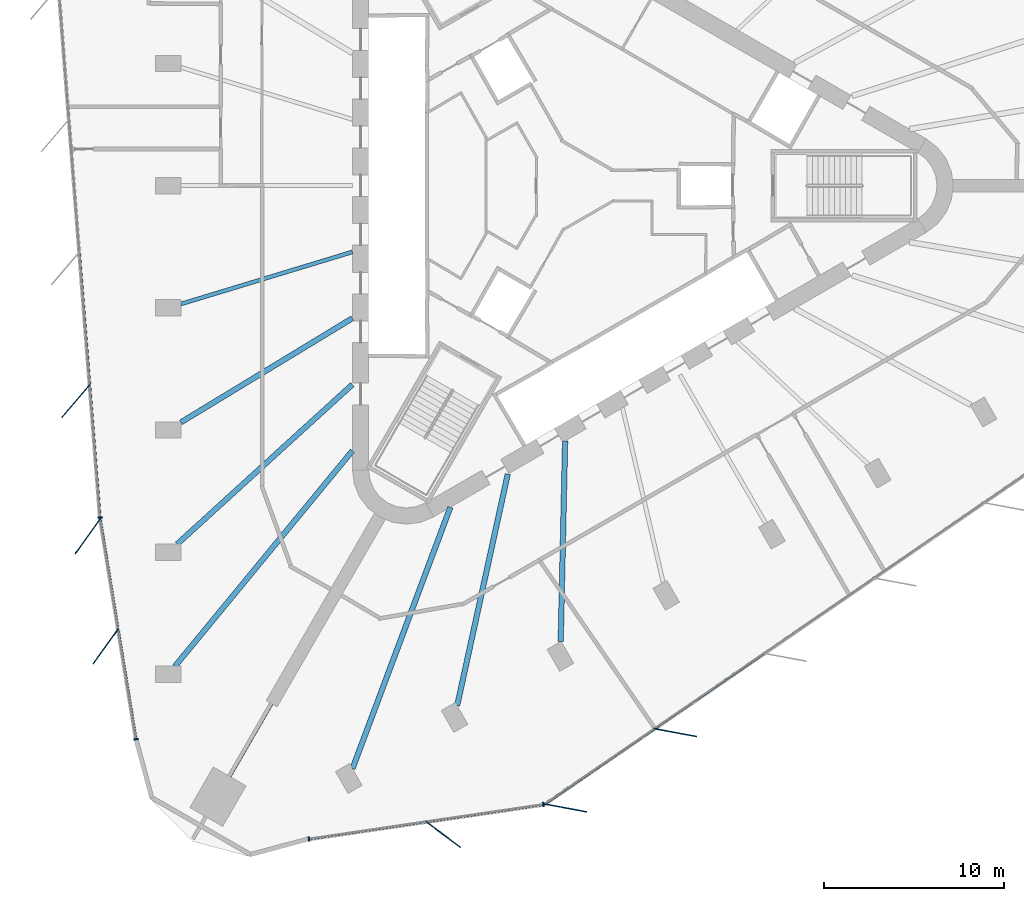
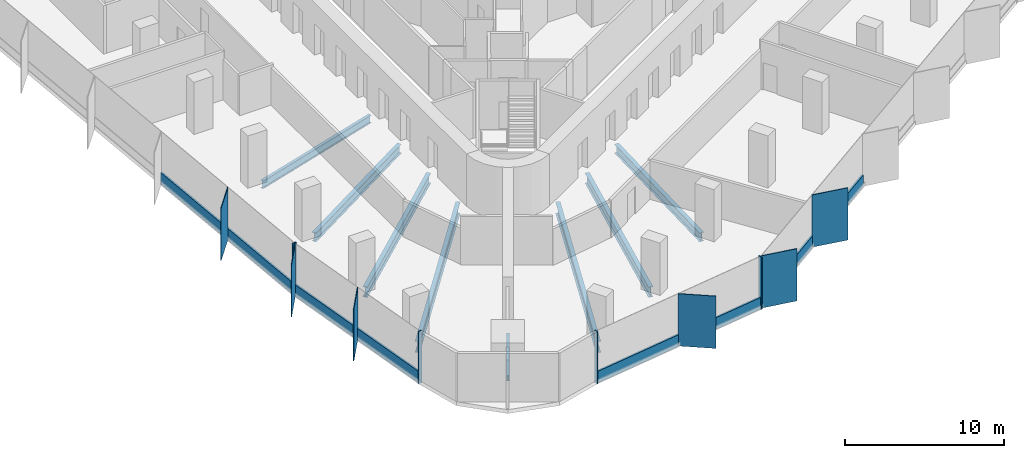
# One storey, part 2 of 13: 18 members, 8 beams, 4 elements without a shape of their own.
"""IFC4 building model written with IfcOpenShell, lengths in metres."""

from ifc_helpers import new_model, si_unit, direction, frame, origin, origin_2d, place, context, subcontext, project, spatial, rectangle, i_section, extrude, material, material_profile, profile_set, type_object, element, aggregate, save


model = new_model("IFC4")

# Units and contexts
model_context = context("Model", 3, precision=1e-05, world=origin(), true_north=direction((0.0, 1.0)))
body_context = subcontext(model_context, "Body", "Model", "MODEL_VIEW")
ifc_project = project(units=[si_unit("LENGTHUNIT", "METRE"), si_unit("AREAUNIT", "SQUARE_METRE"), si_unit("VOLUMEUNIT", "CUBIC_METRE"), si_unit("PLANEANGLEUNIT", "RADIAN"), si_unit("MASSUNIT", "GRAM", prefix="KILO")], contexts=[model_context])

# Site, building, storey
site_placement = place(None, origin())
site = spatial("IfcSite", under=ifc_project, at=site_placement, CompositionType="ELEMENT")
building_placement = place(site_placement, origin())
building = spatial("IfcBuilding", under=site, at=building_placement, Name="Tanit Gate Tower", CompositionType="ELEMENT")
storey_placement = place(building_placement, frame((0.0, 0.0, 201.199951171875)))
storey = spatial("IfcBuildingStorey", under=building, at=storey_placement, Name="L44", CompositionType="ELEMENT", Elevation=201.199951171875)

# Curtain wall, member
ifc_material_1 = material(Name="Aluminium bronze anodised and glass", Category="aluminium")
curtain_wall_type = type_object("IfcCurtainWallType", Name="Curtain wall typical mid", PredefinedType="NOTDEFINED", material=ifc_material_1)
curtain_wall_1_placement = place(storey_placement, origin())
curtain_wall_1 = element("IfcCurtainWall", 1, at=curtain_wall_1_placement, inside=storey, type_object=curtain_wall_type, Name="Curtain wall L44 W2", PredefinedType="NOTDEFINED")
ifc_material_2 = material(Name="Aluminium bronze anodised", Category="aluminium")
ifc_material_profile_1 = material_profile(ifc_material_2, rectangle(XDim=2.39990234375, YDim=0.055908203125, at=origin_2d()), Name="56x2400 bronze fin mullion")
ifc_profile_set_1 = profile_set([ifc_material_profile_1], Name="Aluminium bronze anodised")
member_type_1 = type_object("IfcMemberType", Name="FIN MULLION 56x2400 bronze", PredefinedType="MULLION", material=ifc_profile_set_1)
member_1_placement = place(storey_placement, frame((-27.427490234375, -11.9326171875, -0.300048828125), z_axis=(0.0, 0.0, 1.0), x_axis=(0.649921223903, 0.760001580735, 0.0)))
member_1 = element("IfcMember", 2, at=member_1_placement, type_object=member_type_1, Name="Fin mullion L44 W2.5", PredefinedType="MULLION", context=body_context, shape_type="SweptSolid", body=[
    extrude(rectangle(XDim=2.39990234375, YDim=0.055908203125, at=origin_2d()), origin(), (0.0, 0.0, 1.0), 4.0),
])

# Curtain wall, members
curtain_wall_2_placement = place(storey_placement, origin())
curtain_wall_2 = element("IfcCurtainWall", 3, at=curtain_wall_2_placement, inside=storey, type_object=curtain_wall_type, Name="Curtain wall L44 W3", PredefinedType="NOTDEFINED")
member_2_placement = place(storey_placement, frame((-26.7666015625, -19.4287109375, -0.300048828125), z_axis=(0.0, 0.0, 1.0), x_axis=(0.584613599563, 0.8113118631, 0.0)))
member_2 = element("IfcMember", 4, at=member_2_placement, type_object=member_type_1, Name="Fin mullion L44 W3.1", PredefinedType="MULLION", context=body_context, shape_type="SweptSolid", body=[
    extrude(rectangle(XDim=2.39990234375, YDim=0.055908203125, at=origin_2d()), origin(), (0.0, 0.0, 1.0), 4.0),
])
member_3_placement = place(storey_placement, frame((-25.775146484375, -25.532958984375, -0.300048828125), z_axis=(0.0, 0.0, 1.0), x_axis=(0.584613599563, 0.8113118631, 0.0)))
member_3 = element("IfcMember", 5, at=member_3_placement, type_object=member_type_1, Name="Fin mullion L44 W3.2", PredefinedType="MULLION", context=body_context, shape_type="SweptSolid", body=[
    extrude(rectangle(XDim=2.39990234375, YDim=0.055908203125, at=origin_2d()), origin(), (0.0, 0.0, 1.0), 4.0),
])

# Curtain wall, member
curtain_wall_3_placement = place(storey_placement, origin())
curtain_wall_3 = element("IfcCurtainWall", 6, at=curtain_wall_3_placement, inside=storey, type_object=curtain_wall_type, Name="Curtain wall L44 SE1", PredefinedType="NOTDEFINED")
member_4_placement = place(storey_placement, frame((-7.0673828125, -35.96044921875, -0.300048828125), z_axis=(0.0, 0.0, 1.0), x_axis=(-0.802457483443, 0.596709298794, 0.0)))
member_4 = element("IfcMember", 7, at=member_4_placement, type_object=member_type_1, Name="Fin mullion L44 SE1.2", PredefinedType="MULLION", context=body_context, shape_type="SweptSolid", body=[
    extrude(rectangle(XDim=2.39990234375, YDim=0.055908203125, at=origin_2d()), origin(), (0.0, 0.0, 1.0), 4.0),
])

# Curtain wall, members
curtain_wall_4_placement = place(storey_placement, origin())
curtain_wall_4 = element("IfcCurtainWall", 8, at=curtain_wall_4_placement, inside=storey, type_object=curtain_wall_type, Name="Curtain wall L44 SE2", PredefinedType="NOTDEFINED")
member_5_placement = place(storey_placement, frame((-0.287109375, -34.489013671875, -0.300048828125), z_axis=(0.0, 0.0, 1.0), x_axis=(-0.983141287785, 0.182847499991, 0.0)))
member_5 = element("IfcMember", 9, at=member_5_placement, type_object=member_type_1, Name="Fin mullion L44 SE2.1", PredefinedType="MULLION", context=body_context, shape_type="SweptSolid", body=[
    extrude(rectangle(XDim=2.39990234375, YDim=0.055908203125, at=origin_2d()), origin(), (0.0, 0.0, 1.0), 4.0),
])
member_6_placement = place(storey_placement, frame((5.796630859375, -30.3134765625, -0.300048828125), z_axis=(0.0, 0.0, 1.0), x_axis=(-0.983141287785, 0.182847499991, 0.0)))
member_6 = element("IfcMember", 10, at=member_6_placement, type_object=member_type_1, Name="Fin mullion L44 SE2.2", PredefinedType="MULLION", context=body_context, shape_type="SweptSolid", body=[
    extrude(rectangle(XDim=2.39990234375, YDim=0.055908203125, at=origin_2d()), origin(), (0.0, 0.0, 1.0), 4.0),
])

# Member
ifc_material_3 = material(Name="Aluminium bronze anodised", Category="aluminium")
ifc_material_profile_2 = material_profile(ifc_material_3, rectangle(XDim=0.260009765625, YDim=0.080078125, at=origin_2d()), Name="80x260 bronze mullion")
ifc_profile_set_2 = profile_set([ifc_material_profile_2], Name="Aluminium bronze anodised")
member_type_2 = type_object("IfcMemberType", Name="Mullion 80x260 typical mid", PredefinedType="MULLION", material=ifc_profile_set_2)
member_7_placement = place(storey_placement, frame((-26.0869140625, -18.39306640625, -0.300048828125), z_axis=(0.0, 0.0, 1.0), x_axis=(0.996965976109, 0.077838566791, 0.0)))
member_7 = element("IfcMember", 11, at=member_7_placement, type_object=member_type_2, Name="Mullion L44 W2.6", PredefinedType="MULLION", context=body_context, shape_type="SweptSolid", body=[
    extrude(rectangle(XDim=0.260009765625, YDim=0.080078125, at=origin_2d()), origin(), (0.0, 0.0, 1.0), 4.0),
])

member_8_placement = place(storey_placement, frame((-24.0947265625, -30.6806640625, -0.300048828125), z_axis=(0.0, 0.0, 1.0), x_axis=(0.98706836068, 0.16029987943, 0.0)))
member_8 = element("IfcMember", 12, at=member_8_placement, type_object=member_type_2, Name="Mullion L44 W3.3", PredefinedType="MULLION", context=body_context, shape_type="SweptSolid", body=[
    extrude(rectangle(XDim=0.260009765625, YDim=0.080078125, at=origin_2d()), origin(), (0.0, 0.0, 1.0), 4.0),
])

member_9_placement = place(storey_placement, frame((-14.508056640625, -36.212158203125, -0.300048828125), z_axis=(0.0, 0.0, 1.0), x_axis=(-0.145485936582, 0.98936031973, 0.0)))
member_9 = element("IfcMember", 13, at=member_9_placement, type_object=member_type_2, Name="Mullion L44 SE1.1", PredefinedType="MULLION", context=body_context, shape_type="SweptSolid", body=[
    extrude(rectangle(XDim=0.260009765625, YDim=0.080078125, at=origin_2d()), origin(), (0.0, 0.0, 1.0), 4.0),
])

member_10_placement = place(storey_placement, frame((-1.5185546875, -34.302001953125, -0.300048828125), z_axis=(0.0, 0.0, 1.0), x_axis=(-0.145485936582, 0.98936031973, 0.0)))
member_10 = element("IfcMember", 14, at=member_10_placement, type_object=member_type_2, Name="Mullion L44 SE1.3", PredefinedType="MULLION", context=body_context, shape_type="SweptSolid", body=[
    extrude(rectangle(XDim=0.260009765625, YDim=0.080078125, at=origin_2d()), origin(), (0.0, 0.0, 1.0), 4.0),
])

# Beams
ifc_material_4 = material(Name="Steel S355", Category="steel")
ifc_material_profile_3 = material_profile(ifc_material_4, i_section(OverallWidth=0.300048828125, OverallDepth=0.68994140625, WebThickness=0.014404296875, FlangeThickness=0.027099609375, FilletRadius=0.027099609375, at=origin_2d()), Name="HEA 700")
ifc_profile_set_3 = profile_set([ifc_material_profile_3], Name="Steel S355")
beam_type_1 = type_object("IfcBeamType", Name="RADIAL GIRDER HEA 700 S355", PredefinedType="BEAM", material=ifc_profile_set_3)
beam_1_placement = place(storey_placement, frame((-21.605712890625, -13.116943359375, -0.64501953125), z_axis=(0.854799691716, 0.518958078309, 0.0), x_axis=(-0.518958078309, 0.854799691716, 0.0)))
element("IfcBeam", 15, at=beam_1_placement, inside=storey, type_object=beam_type_1, Name="RADIAL GIRDER", PredefinedType="BEAM", context=body_context, shape_type="SweptSolid", body=[
    extrude(i_section(OverallWidth=0.300048828125, OverallDepth=0.68994140625, WebThickness=0.014404296875, FlangeThickness=0.027099609375, FilletRadius=0.027099609375, at=origin_2d()), origin(), (0.0, 0.0, 1.0), 11.117919921875),
])
beam_2_placement = place(storey_placement, frame((-0.556884765625, -25.269775390625, -0.64501953125), z_axis=(0.022024571196, 0.999757429712, 0.0), x_axis=(-0.999757429712, 0.022024571196, 0.0)))
element("IfcBeam", 16, at=beam_2_placement, inside=storey, type_object=beam_type_1, Name="RADIAL GIRDER", PredefinedType="BEAM", context=body_context, shape_type="SweptSolid", body=[
    extrude(i_section(OverallWidth=0.300048828125, OverallDepth=0.68994140625, WebThickness=0.014404296875, FlangeThickness=0.027099609375, FilletRadius=0.027099609375, at=origin_2d()), origin(), (0.0, 0.0, 1.0), 11.1181640625),
])
ifc_material_5 = material(Name="Steel S355", Category="steel")
ifc_material_profile_4 = material_profile(ifc_material_5, i_section(OverallWidth=0.300048828125, OverallDepth=0.7900390625, WebThickness=0.014892578125, FlangeThickness=0.028076171875, FilletRadius=0.030029296875, at=origin_2d()), Name="HEA 800")
ifc_profile_set_4 = profile_set([ifc_material_profile_4], Name="Steel S355")
beam_type_2 = type_object("IfcBeamType", Name="RADIAL GIRDER HEA 800 S355", PredefinedType="BEAM", material=ifc_profile_set_4)
beam_3_placement = place(storey_placement, frame((-21.811767578125, -19.86279296875, -0.695068359375), z_axis=(0.739370310624, 0.673299000273, 0.0), x_axis=(-0.673299000273, 0.739370310624, 0.0)))
element("IfcBeam", 17, at=beam_3_placement, inside=storey, type_object=beam_type_2, Name="RADIAL GIRDER", PredefinedType="BEAM", context=body_context, shape_type="SweptSolid", body=[
    extrude(i_section(OverallWidth=0.300048828125, OverallDepth=0.7900390625, WebThickness=0.014892578125, FlangeThickness=0.028076171875, FilletRadius=0.030029296875, at=origin_2d()), origin(), (0.0, 0.0, 1.0), 13.13232421875),
])
beam_4_placement = place(storey_placement, frame((-6.2958984375, -28.821044921875, -0.695068359375), z_axis=(0.213417442775, 0.976961102153, 0.0), x_axis=(-0.976961102153, 0.213417442775, 0.0)))
element("IfcBeam", 18, at=beam_4_placement, inside=storey, type_object=beam_type_2, Name="RADIAL GIRDER", PredefinedType="BEAM", context=body_context, shape_type="SweptSolid", body=[
    extrude(i_section(OverallWidth=0.300048828125, OverallDepth=0.7900390625, WebThickness=0.014892578125, FlangeThickness=0.028076171875, FilletRadius=0.030029296875, at=origin_2d()), origin(), (0.0, 0.0, 1.0), 13.132568359375),
])
ifc_material_6 = material(Name="Steel S355", Category="steel")
ifc_material_profile_5 = material_profile(ifc_material_6, i_section(OverallWidth=0.300048828125, OverallDepth=0.889892578125, WebThickness=0.01611328125, FlangeThickness=0.030029296875, FilletRadius=0.030029296875, at=origin_2d()), Name="HEA 900")
ifc_profile_set_5 = profile_set([ifc_material_profile_5], Name="Steel S355")
beam_type_3 = type_object("IfcBeamType", Name="RADIAL GIRDER HEA 900 S355", PredefinedType="BEAM", material=ifc_profile_set_5)
for number, where, z_axis, x_axis, name in (
    (19, (-21.935302734375, -26.6337890625, -0.744873046875), (0.635736575047, 0.771906087, 0.0), (-0.771906087, 0.635736575047, 0.0), "RADIAL GIRDER"),
    (20, (-12.09814453125, -32.3134765625, -0.744873046875), (0.350626951339, 0.936515211299, 0.0), (-0.936515211299, 0.350626951339, 0.0), "RADIAL GIRDER"),
):
    element("IfcBeam", number, at=place(storey_placement, frame(where, z_axis=z_axis, x_axis=x_axis)), inside=storey, type_object=beam_type_3, Name=name, PredefinedType="BEAM", context=body_context, shape_type="SweptSolid", body=[
        extrude(i_section(OverallWidth=0.300048828125, OverallDepth=0.889892578125, WebThickness=0.01611328125, FlangeThickness=0.030029296875, FilletRadius=0.030029296875, at=origin_2d()), origin(), (0.0, 0.0, 1.0), 15.467529296875),
    ])
ifc_material_7 = material(Name="Steel S355", Category="steel")
ifc_material_profile_6 = material_profile(ifc_material_7, i_section(OverallWidth=0.179931640625, OverallDepth=0.39990234375, WebThickness=0.008544921875, FlangeThickness=0.013427734375, FilletRadius=0.02099609375, at=origin_2d()), Name="IPE 400")
ifc_profile_set_6 = profile_set([ifc_material_profile_6], Name="Steel S355")
beam_type_4 = type_object("IfcBeamType", Name="RADIAL GIRDER IPE 400 S355", PredefinedType="BEAM", material=ifc_profile_set_6)
beam_5_placement = place(storey_placement, frame((-18.9033203125, -32.74169921875, -0.5), z_axis=(0.499984536904, 0.866034331223, 0.0), x_axis=(-0.866034331223, 0.499984536904, 0.0)))
element("IfcBeam", 21, at=beam_5_placement, inside=storey, type_object=beam_type_4, Name="RADIAL GIRDER", PredefinedType="BEAM", context=body_context, shape_type="SweptSolid", body=[
    extrude(i_section(OverallWidth=0.179931640625, OverallDepth=0.39990234375, WebThickness=0.008544921875, FlangeThickness=0.013427734375, FilletRadius=0.02099609375, at=origin_2d()), origin(), (0.0, 0.0, 1.0), 4.650146484375),
])
ifc_material_8 = material(Name="Steel S355", Category="steel")
ifc_material_profile_7 = material_profile(ifc_material_8, i_section(OverallWidth=0.219970703125, OverallDepth=0.60009765625, WebThickness=0.011962890625, FlangeThickness=0.01904296875, FilletRadius=0.02392578125, at=origin_2d()), Name="IPE 600")
ifc_profile_set_7 = profile_set([ifc_material_profile_7], Name="Steel S355")
beam_type_5 = type_object("IfcBeamType", Name="RADIAL GIRDER IPE 600 S355", PredefinedType="BEAM", material=ifc_profile_set_7)
beam_6_placement = place(storey_placement, frame((-21.605712890625, -6.55859375, -0.599853515625), z_axis=(0.956881430709, 0.290478790215, 0.0), x_axis=(-0.290478790215, 0.956881430709, 0.0)))
element("IfcBeam", 22, at=beam_6_placement, inside=storey, type_object=beam_type_5, Name="RADIAL GIRDER", PredefinedType="BEAM", context=body_context, shape_type="SweptSolid", body=[
    extrude(i_section(OverallWidth=0.219970703125, OverallDepth=0.60009765625, WebThickness=0.011962890625, FlangeThickness=0.01904296875, FilletRadius=0.02392578125, at=origin_2d()), origin(), (0.0, 0.0, 1.0), 9.931884765625),
])

# Member
ifc_material_9 = material(Name="Aluminium bronze anodised", Category="aluminium")
ifc_material_profile_8 = material_profile(ifc_material_9, rectangle(XDim=0.139892578125, YDim=0.89990234375, at=origin_2d()), Name="140x900 bronze transom")
ifc_profile_set_8 = profile_set([ifc_material_profile_8], Name="Aluminium bronze anodised")
member_type_3 = type_object("IfcMemberType", Name="Transom 140x900 typical mid", PredefinedType="USERDEFINED", material=ifc_profile_set_8)
member_11_placement = place(storey_placement, frame((-27.232421875, -3.72021484375, 0.150146484375), z_axis=(0.077837277659, -0.996966076758, 0.0), x_axis=(0.996966076758, 0.077837277659, 0.0)))
member_11 = element("IfcMember", 23, at=member_11_placement, type_object=member_type_3, Name="Transom L44 W2.4", ObjectType="TRANSOM", PredefinedType="USERDEFINED", context=body_context, shape_type="SweptSolid", body=[
    extrude(rectangle(XDim=0.139892578125, YDim=0.89990234375, at=origin_2d()), origin(), (0.0, 0.0, 1.0), 7.298828125),
])

member_12_placement = place(storey_placement, frame((-26.658203125, -11.07666015625, 0.150146484375), z_axis=(0.077837277659, -0.996966076758, 0.0), x_axis=(0.996966076758, 0.077837277659, 0.0)))
member_12 = element("IfcMember", 24, at=member_12_placement, type_object=member_type_3, Name="Transom L44 W2.5", ObjectType="TRANSOM", PredefinedType="USERDEFINED", context=body_context, shape_type="SweptSolid", body=[
    extrude(rectangle(XDim=0.139892578125, YDim=0.89990234375, at=origin_2d()), origin(), (0.0, 0.0, 1.0), 7.298828125),
])

aggregate(curtain_wall_1, [member_1, member_7, member_11, member_12])

member_13_placement = place(storey_placement, frame((-26.071044921875, -18.511962890625, 0.150146484375), z_axis=(0.160304982691, -0.987067531897, 0.0), x_axis=(0.987067531897, 0.160304982691, 0.0)))
member_13 = element("IfcMember", 25, at=member_13_placement, type_object=member_type_3, Name="Transom L44 W3.1", ObjectType="TRANSOM", PredefinedType="USERDEFINED", context=body_context, shape_type="SweptSolid", body=[
    extrude(rectangle(XDim=0.139892578125, YDim=0.89990234375, at=origin_2d()), origin(), (0.0, 0.0, 1.0), 6.10400390625),
])

member_14_placement = place(storey_placement, frame((-25.07958984375, -24.615966796875, 0.150146484375), z_axis=(0.160304982691, -0.987067531897, 0.0), x_axis=(0.987067531897, 0.160304982691, 0.0)))
member_14 = element("IfcMember", 26, at=member_14_placement, type_object=member_type_3, Name="Transom L44 W3.2", ObjectType="TRANSOM", PredefinedType="USERDEFINED", context=body_context, shape_type="SweptSolid", body=[
    extrude(rectangle(XDim=0.139892578125, YDim=0.89990234375, at=origin_2d()), origin(), (0.0, 0.0, 1.0), 6.10400390625),
])

aggregate(curtain_wall_2, [member_2, member_3, member_8, member_13, member_14])

member_15_placement = place(storey_placement, frame((-14.468505859375, -36.206298828125, 0.150146484375), z_axis=(0.989355947186, 0.145515668463, 0.0), x_axis=(-0.145515668463, 0.989355947186, 0.0)))
member_15 = element("IfcMember", 27, at=member_15_placement, type_object=member_type_3, Name="Transom L44 SE1.1", ObjectType="TRANSOM", PredefinedType="USERDEFINED", context=body_context, shape_type="SweptSolid", body=[
    extrude(rectangle(XDim=0.139892578125, YDim=0.89990234375, at=origin_2d()), origin(), (0.0, 0.0, 1.0), 6.484619140625),
])

member_16_placement = place(storey_placement, frame((-7.9736328125, -35.251220703125, 0.150146484375), z_axis=(0.989355947186, 0.145515668463, 0.0), x_axis=(-0.145515668463, 0.989355947186, 0.0)))
member_16 = element("IfcMember", 28, at=member_16_placement, type_object=member_type_3, Name="Transom L44 SE1.2", ObjectType="TRANSOM", PredefinedType="USERDEFINED", context=body_context, shape_type="SweptSolid", body=[
    extrude(rectangle(XDim=0.139892578125, YDim=0.89990234375, at=origin_2d()), origin(), (0.0, 0.0, 1.0), 6.484619140625),
])

aggregate(curtain_wall_3, [member_9, member_4, member_10, member_15, member_16])

member_17_placement = place(storey_placement, frame((-1.4130859375, -34.250732421875, 0.150146484375), z_axis=(0.824481834567, 0.565888420512, 0.0), x_axis=(-0.565888420512, 0.824481834567, 0.0)))
member_17 = element("IfcMember", 29, at=member_17_placement, type_object=member_type_3, Name="Transom L44 SE2.1", ObjectType="TRANSOM", PredefinedType="USERDEFINED", context=body_context, shape_type="SweptSolid", body=[
    extrude(rectangle(XDim=0.139892578125, YDim=0.89990234375, at=origin_2d()), origin(), (0.0, 0.0, 1.0), 7.298828125),
])

member_18_placement = place(storey_placement, frame((4.670654296875, -30.0751953125, 0.150146484375), z_axis=(0.824481834567, 0.565888420512, 0.0), x_axis=(-0.565888420512, 0.824481834567, 0.0)))
member_18 = element("IfcMember", 30, at=member_18_placement, type_object=member_type_3, Name="Transom L44 SE2.2", ObjectType="TRANSOM", PredefinedType="USERDEFINED", context=body_context, shape_type="SweptSolid", body=[
    extrude(rectangle(XDim=0.139892578125, YDim=0.89990234375, at=origin_2d()), origin(), (0.0, 0.0, 1.0), 7.298828125),
])

aggregate(curtain_wall_4, [member_5, member_6, member_17, member_18])

save(model, "model.ifc")
